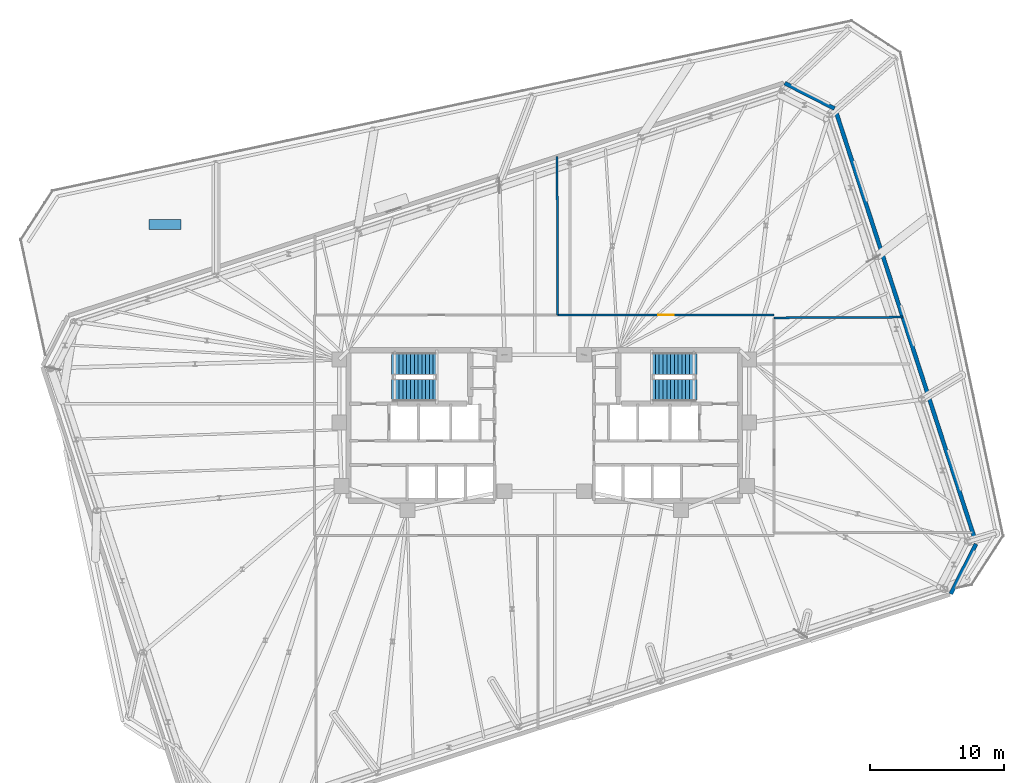
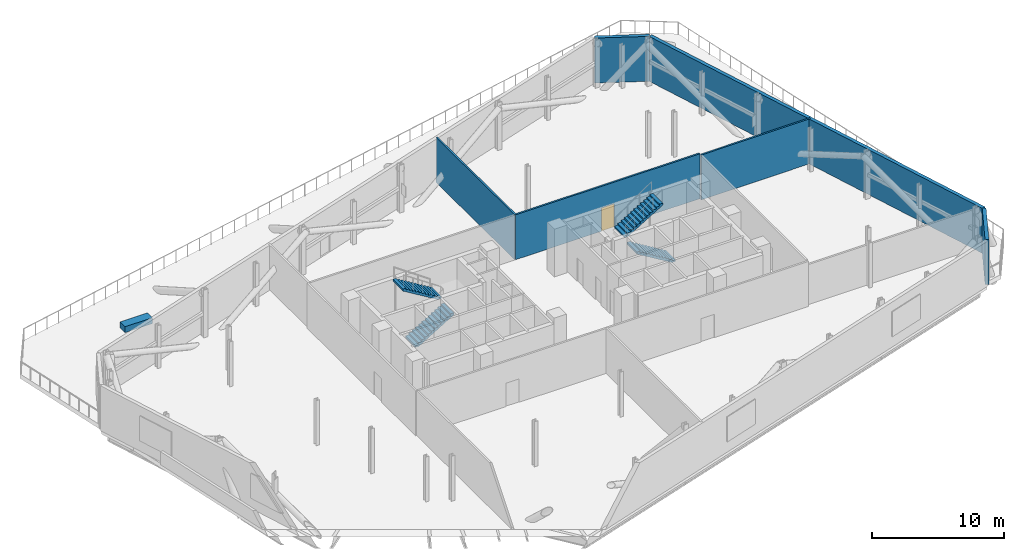
# One storey, part 15 of 16: 6 walls, 4 stair flights, 1 discrete accessory, 1 door, 1 opening, 2 elements without a shape of their own.
"""IFC4 building model written with IfcOpenShell, lengths in metres."""

from ifc_helpers import new_model, si_unit, direction, frame, frame_2d, origin, origin_2d, place, context, subcontext, project, spatial, polyline, rectangle, outline, extrude, material, layer, layer_set, type_object, element, fill, aggregate, save


model = new_model("IFC4")

# Units and contexts
model_context = context("Model", 3, precision=1e-05, world=origin(), true_north=direction((0.0, 1.0)))
body_context = subcontext(model_context, "Body", "Model", "MODEL_VIEW")
ifc_project = project(units=[si_unit("LENGTHUNIT", "METRE"), si_unit("AREAUNIT", "SQUARE_METRE"), si_unit("VOLUMEUNIT", "CUBIC_METRE"), si_unit("PLANEANGLEUNIT", "RADIAN"), si_unit("MASSUNIT", "GRAM", prefix="KILO")], contexts=[model_context])

# Site, building, storey
site_placement = place(None, origin())
site = spatial("IfcSite", under=ifc_project, at=site_placement, CompositionType="ELEMENT")
building_placement = place(site_placement, origin())
building = spatial("IfcBuilding", under=site, at=building_placement, Name="Menara Jurai Vektor", CompositionType="ELEMENT")
storey_placement = place(building_placement, frame((0.0, 0.0, 202.39990234375)))
storey = spatial("IfcBuildingStorey", under=building, at=storey_placement, Name="L53", CompositionType="ELEMENT", Elevation=202.39990234375)

# Walls
ifc_material_1 = material(Name="Insulated Pale Aluminium Spandrel Wall", Category="aluminium")
ifc_layer_1 = layer(ifc_material_1, 0.300048828125)
ifc_layer_set_1 = layer_set([ifc_layer_1], Name="Insulated Pale Aluminium Spandrel Wall")
wall_type_1 = type_object("IfcWallType", Name="ENV-WALL-EXT300", PredefinedType="STANDARD", material=ifc_layer_set_1)
wall_1_placement = place(storey_placement, frame((30.23046875, -12.528564453125, 0.0), z_axis=(0.0, 0.0, 1.0), x_axis=(0.453950442261, 0.891026933359, 0.0)))
element("IfcWall", 1, at=wall_1_placement, inside=storey, type_object=wall_type_1, Name="Plant Floor Enclosure Wall L53-02", PredefinedType="STANDARD", context=body_context, shape_type="SweptSolid", body=[
    extrude(rectangle(XDim=4.15234375, YDim=0.300048828125, at=frame_2d((2.076171875, 0.0))), origin(), (0.0, 0.0, 1.0), 4.150146484375),
])
wall_2_placement = place(storey_placement, frame((32.1220703125, -8.74560546875, 0.0), z_axis=(0.0, 0.0, 1.0), x_axis=(-0.309017534148, 0.951056340912, 0.0)))
element("IfcWall", 2, at=wall_2_placement, inside=storey, type_object=wall_type_1, Name="Plant Floor Enclosure Wall L53-03", PredefinedType="STANDARD", context=body_context, shape_type="SweptSolid", body=[
    extrude(rectangle(XDim=33.909912109375, YDim=0.300048828125, at=frame_2d((16.955078125, 0.0))), origin(), (0.0, 0.0, 1.0), 4.150146484375),
])
wall_3_placement = place(storey_placement, frame((21.58935546875, 23.56787109375, 0.0), z_axis=(0.0, 0.0, 1.0), x_axis=(-0.891003151549, 0.453997118856, 0.0)))
element("IfcWall", 3, at=wall_3_placement, inside=storey, type_object=wall_type_1, Name="Plant Floor Enclosure Wall L53-04", PredefinedType="STANDARD", context=body_context, shape_type="SweptSolid", body=[
    extrude(rectangle(XDim=4.152587890625, YDim=0.300048828125, at=frame_2d((2.076171875, 0.0))), origin(), (0.0, 0.0, 1.0), 4.150146484375),
])

# Wall, opening, door
ifc_material_2 = material(Name="Gypsum Fireboard Partition", Category="gypsum")
ifc_layer_2 = layer(ifc_material_2, 0.14990234375)
ifc_layer_set_2 = layer_set([ifc_layer_2], Name="Gypsum Fireboard Partition")
wall_type_2 = type_object("IfcWallType", Name="INT-WALL-CORR-150", PredefinedType="PARTITIONING", material=ifc_layer_set_2)
wall_4_placement = place(storey_placement, frame((1.0, 8.199951171875, 0.0), z_axis=(0.0, 0.0, 1.0), x_axis=(1.0, 0.0, 0.0)))
wall_4 = element("IfcWall", 4, at=wall_4_placement, inside=storey, type_object=wall_type_2, Name="Interior Wall IW-150 L53", PredefinedType="PARTITIONING", context=body_context, shape_type="SweptSolid", body=[
    extrude(rectangle(XDim=16.10009765625, YDim=0.14990234375, at=frame_2d((8.050048828125, 0.0))), origin(), (0.0, 0.0, 1.0), 4.150146484375),
])
opening_placement = place(wall_4_placement, frame((7.47509765625, 0.0, 0.0)))
opening = element("IfcOpeningElement", 5, at=opening_placement, cuts=wall_4, Name="Opening D53-09", PredefinedType="OPENING", context=body_context, shape_type="SweptSolid", body=[
    extrude(rectangle(XDim=1.14990234375, YDim=2.14990234375, at=frame_2d((0.574951171875, 1.074951171875))), frame((0.0, 0.0849609375, 0.0), z_axis=(0.0, -1.0, 0.0), x_axis=(1.0, 0.0, 0.0)), (0.0, 0.0, 1.0), 0.169921875),
])
ifc_material_3 = material(Name="Fire-Rated Steel Plant Door", Category="steel")
door_type = type_object("IfcDoorType", Name="DR-PLANT-1150", OperationType="NOTDEFINED", PredefinedType="DOOR", material=ifc_material_3)
door_placement = place(opening_placement, origin())
door = element("IfcDoor", 6, at=door_placement, inside=storey, type_object=door_type, Name="Interior Door D53-09", OperationType="SINGLE_SWING_RIGHT", OverallHeight=2.14990234375, OverallWidth=1.14990234375, PredefinedType="DOOR", context=body_context, shape_type="SweptSolid", body=[
    extrude(rectangle(XDim=1.14990234375, YDim=2.14990234375, at=frame_2d((0.574951171875, 1.074951171875))), frame((0.0, 0.02490234375, 0.0), z_axis=(0.0, -1.0, 0.0), x_axis=(1.0, 0.0, 0.0)), (0.0, 0.0, 1.0), 0.050048828125),
])
fill(opening, door)

# Walls
wall_5_placement = place(storey_placement, frame((1.0, 8.199951171875, 0.0), z_axis=(0.0, 0.0, 1.0), x_axis=(-0.003936406405, 0.999992252322, 0.0)))
element("IfcWall", 7, at=wall_5_placement, inside=storey, type_object=wall_type_2, Name="Interior Wall IW-150 L53", PredefinedType="PARTITIONING", context=body_context, shape_type="SweptSolid", body=[
    extrude(rectangle(XDim=11.783935546875, YDim=0.14990234375, at=frame_2d((5.89208984375, 0.0))), origin(), (0.0, 0.0, 1.0), 4.150146484375),
])
wall_6_placement = place(storey_placement, frame((17.10009765625, 8.0, 0.0), z_axis=(0.0, 0.0, 1.0), x_axis=(0.999988243005, 0.004849108421, 0.0)))
element("IfcWall", 8, at=wall_6_placement, inside=storey, type_object=wall_type_2, Name="Interior Wall IW-150 L53", PredefinedType="PARTITIONING", context=body_context, shape_type="SweptSolid", body=[
    extrude(rectangle(XDim=9.56591796875, YDim=0.14990234375, at=frame_2d((4.782958984375, 0.0))), origin(), (0.0, 0.0, 1.0), 4.150146484375),
])

# Stair, stair flights
ifc_material_4 = material(Name="Concrete C40/50", Category="concrete")
stair_type = type_object("IfcStairType", Name="STAIR-DOGLEG-1500", PredefinedType="HALF_TURN_STAIR", material=ifc_material_4)
stair_1_placement = place(storey_placement, origin())
stair_1 = element("IfcStair", 9, at=stair_1_placement, inside=storey, type_object=stair_type, Name="Protected Exit Stair ST1 L53", PredefinedType="HALF_TURN_STAIR")
stair_flight_type = type_object("IfcStairFlightType", Name="STAIR-FLIGHT-1500", PredefinedType="STRAIGHT", material=ifc_material_4)
stair_flight_1_placement = place(storey_placement, frame((-11.35009765625, 2.64990234375, 0.0), z_axis=(0.0, 0.0, 1.0), x_axis=(1.0, 0.0, 0.0)))
stair_flight_1 = element("IfcStairFlight", 10, at=stair_flight_1_placement, type_object=stair_flight_type, Name="ST1 flight 1", NumberOfRisers=13, NumberOfTreads=12, PredefinedType="STRAIGHT", RiserHeight=0.169231, TreadLength=0.28, context=body_context, shape_type="SweptSolid", body=[
    extrude(outline(polyline([(0.0, 0.0), (0.0, 0.169189453125), (0.280029296875, 0.169189453125), (0.280029296875, 0.33837890625), (0.56005859375, 0.33837890625), (0.56005859375, 0.5078125), (0.840087890625, 0.5078125), (0.840087890625, 0.677001953125), (1.1201171875, 0.677001953125), (1.1201171875, 0.84619140625), (1.39990234375, 0.84619140625), (1.39990234375, 1.015380859375), (1.679931640625, 1.015380859375), (1.679931640625, 1.1845703125), (1.9599609375, 1.1845703125), (1.9599609375, 1.353759765625), (2.239990234375, 1.353759765625), (2.239990234375, 1.523193359375), (2.52001953125, 1.523193359375), (2.52001953125, 1.6923828125), (2.800048828125, 1.6923828125), (2.800048828125, 1.861572265625), (3.080078125, 1.861572265625), (3.080078125, 2.03076171875), (3.360107421875, 2.03076171875), (3.360107421875, 2.199951171875), (3.360107421875, 1.843994140625), (0.30908203125, 0.0), (0.0, 0.0)])), frame((0.0, 0.75, 0.0), z_axis=(0.0, -1.0, 0.0), x_axis=(1.0, 0.0, 0.0)), (0.0, 0.0, 1.0), 1.5),
])
stair_flight_2_placement = place(storey_placement, frame((-7.989990234375, 4.550048828125, 2.2001953125), z_axis=(0.0, 0.0, 1.0), x_axis=(-1.0, 0.0, 0.0)))
stair_flight_2 = element("IfcStairFlight", 11, at=stair_flight_2_placement, type_object=stair_flight_type, Name="ST1 flight 2", NumberOfRisers=13, NumberOfTreads=12, PredefinedType="STRAIGHT", RiserHeight=0.169231, TreadLength=0.28, context=body_context, shape_type="SweptSolid", body=[
    extrude(outline(polyline([(0.0, 0.0), (0.0, 0.169189453125), (0.280029296875, 0.169189453125), (0.280029296875, 0.33837890625), (0.56005859375, 0.33837890625), (0.56005859375, 0.5078125), (0.840087890625, 0.5078125), (0.840087890625, 0.677001953125), (1.1201171875, 0.677001953125), (1.1201171875, 0.84619140625), (1.39990234375, 0.84619140625), (1.39990234375, 1.015380859375), (1.679931640625, 1.015380859375), (1.679931640625, 1.1845703125), (1.9599609375, 1.1845703125), (1.9599609375, 1.353759765625), (2.239990234375, 1.353759765625), (2.239990234375, 1.523193359375), (2.52001953125, 1.523193359375), (2.52001953125, 1.6923828125), (2.800048828125, 1.6923828125), (2.800048828125, 1.861572265625), (3.080078125, 1.861572265625), (3.080078125, 2.03076171875), (3.360107421875, 2.03076171875), (3.360107421875, 2.199951171875), (3.360107421875, 1.843994140625), (0.30908203125, 0.0), (0.0, 0.0)])), frame((0.0, 0.75, 0.0), z_axis=(0.0, -1.0, 0.0), x_axis=(1.0, 0.0, 0.0)), (0.0, 0.0, 1.0), 1.5),
])
aggregate(stair_1, [stair_flight_1, stair_flight_2])

stair_2_placement = place(storey_placement, origin())
stair_2 = element("IfcStair", 12, at=stair_2_placement, inside=storey, type_object=stair_type, Name="Protected Exit Stair ST2 L53", PredefinedType="HALF_TURN_STAIR")
stair_flight_3_placement = place(storey_placement, frame((11.35009765625, 2.64990234375, 0.0), z_axis=(0.0, 0.0, 1.0), x_axis=(-1.0, 0.0, 0.0)))
stair_flight_3 = element("IfcStairFlight", 13, at=stair_flight_3_placement, type_object=stair_flight_type, Name="ST2 flight 1", NumberOfRisers=13, NumberOfTreads=12, PredefinedType="STRAIGHT", RiserHeight=0.169231, TreadLength=0.28, context=body_context, shape_type="SweptSolid", body=[
    extrude(outline(polyline([(0.0, 0.0), (0.0, 0.169189453125), (0.280029296875, 0.169189453125), (0.280029296875, 0.33837890625), (0.56005859375, 0.33837890625), (0.56005859375, 0.5078125), (0.840087890625, 0.5078125), (0.840087890625, 0.677001953125), (1.1201171875, 0.677001953125), (1.1201171875, 0.84619140625), (1.39990234375, 0.84619140625), (1.39990234375, 1.015380859375), (1.679931640625, 1.015380859375), (1.679931640625, 1.1845703125), (1.9599609375, 1.1845703125), (1.9599609375, 1.353759765625), (2.239990234375, 1.353759765625), (2.239990234375, 1.523193359375), (2.52001953125, 1.523193359375), (2.52001953125, 1.6923828125), (2.800048828125, 1.6923828125), (2.800048828125, 1.861572265625), (3.080078125, 1.861572265625), (3.080078125, 2.03076171875), (3.360107421875, 2.03076171875), (3.360107421875, 2.199951171875), (3.360107421875, 1.843994140625), (0.30908203125, 0.0), (0.0, 0.0)])), frame((0.0, 0.75, 0.0), z_axis=(0.0, -1.0, 0.0), x_axis=(1.0, 0.0, 0.0)), (0.0, 0.0, 1.0), 1.5),
])
stair_flight_4_placement = place(storey_placement, frame((7.989990234375, 4.550048828125, 2.2001953125), z_axis=(0.0, 0.0, 1.0), x_axis=(1.0, 0.0, 0.0)))
stair_flight_4 = element("IfcStairFlight", 14, at=stair_flight_4_placement, type_object=stair_flight_type, Name="ST2 flight 2", NumberOfRisers=13, NumberOfTreads=12, PredefinedType="STRAIGHT", RiserHeight=0.169231, TreadLength=0.28, context=body_context, shape_type="SweptSolid", body=[
    extrude(outline(polyline([(0.0, 0.0), (0.0, 0.169189453125), (0.280029296875, 0.169189453125), (0.280029296875, 0.33837890625), (0.56005859375, 0.33837890625), (0.56005859375, 0.5078125), (0.840087890625, 0.5078125), (0.840087890625, 0.677001953125), (1.1201171875, 0.677001953125), (1.1201171875, 0.84619140625), (1.39990234375, 0.84619140625), (1.39990234375, 1.015380859375), (1.679931640625, 1.015380859375), (1.679931640625, 1.1845703125), (1.9599609375, 1.1845703125), (1.9599609375, 1.353759765625), (2.239990234375, 1.353759765625), (2.239990234375, 1.523193359375), (2.52001953125, 1.523193359375), (2.52001953125, 1.6923828125), (2.800048828125, 1.6923828125), (2.800048828125, 1.861572265625), (3.080078125, 1.861572265625), (3.080078125, 2.03076171875), (3.360107421875, 2.03076171875), (3.360107421875, 2.199951171875), (3.360107421875, 1.843994140625), (0.30908203125, 0.0), (0.0, 0.0)])), frame((0.0, 0.75, 0.0), z_axis=(0.0, -1.0, 0.0), x_axis=(1.0, 0.0, 0.0)), (0.0, 0.0, 1.0), 1.5),
])
aggregate(stair_2, [stair_flight_3, stair_flight_4])

# Discrete accessory
ifc_material_5 = material(Name="Concrete C40/50 precast", Category="concrete")
discrete_accessory_type = type_object("IfcDiscreteAccessoryType", Name="ENV-ACC-PLANTER", PredefinedType="USERDEFINED", material=ifc_material_5)
discrete_accessory_placement = place(storey_placement, frame((-28.213623046875, 14.93603515625, 0.0), z_axis=(0.0, 0.0, 1.0), x_axis=(1.0, 0.0, 0.0)))
element("IfcDiscreteAccessory", 15, at=discrete_accessory_placement, inside=storey, type_object=discrete_accessory_type, Name="Spiral Terrace Planter Box L53-STEP", ObjectType="PLANTER", PredefinedType="USERDEFINED", context=body_context, shape_type="SweptSolid", body=[
    extrude(rectangle(XDim=2.39990234375, YDim=0.75, at=origin_2d()), origin(), (0.0, 0.0, 1.0), 0.550048828125),
])

save(model, "model.ifc")
